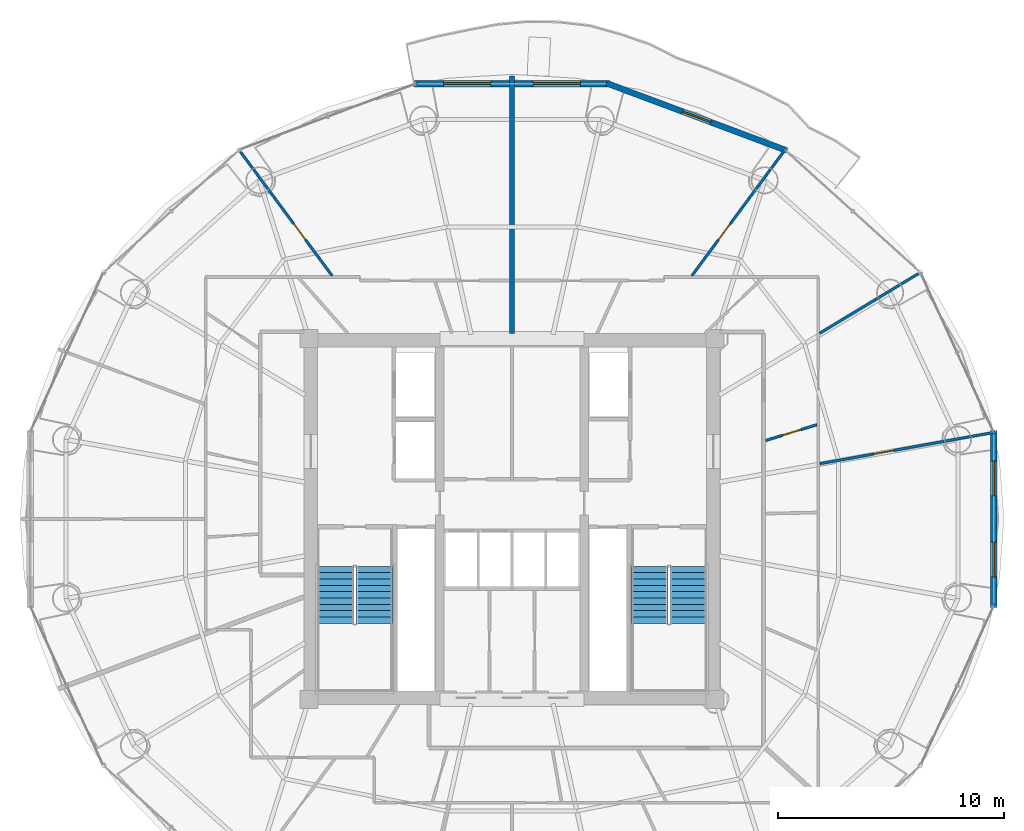
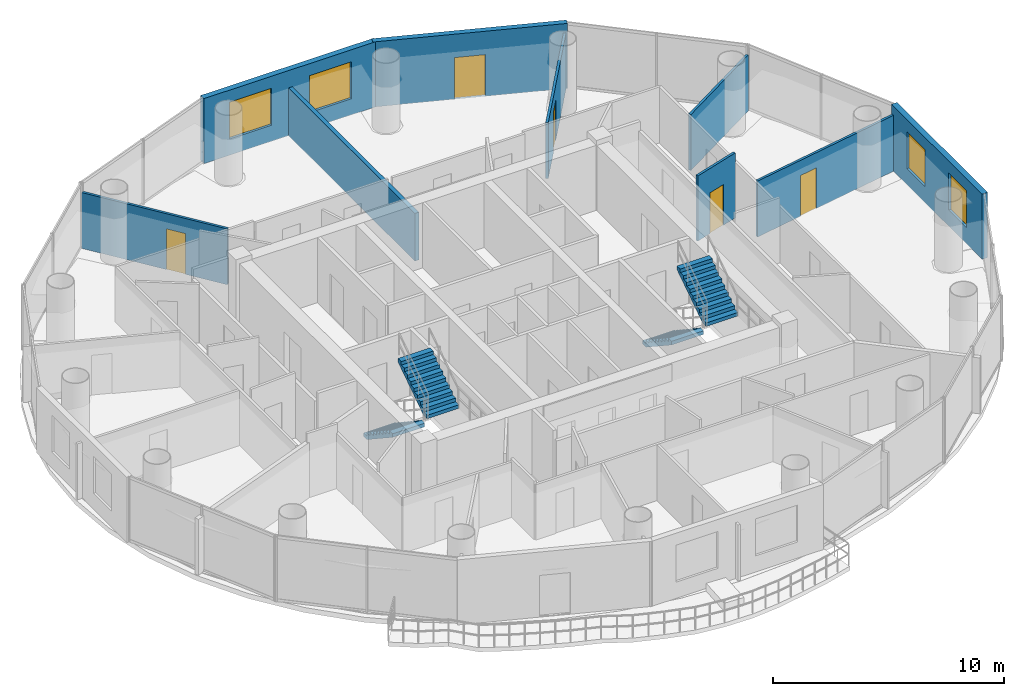
# One storey, part 23 of 26: 9 walls, 5 doors, 4 stair flights, 4 windows, 9 openings, 2 elements without a shape of their own.
"""IFC4 building model written with IfcOpenShell, lengths in metres."""

from ifc_helpers import new_model, si_unit, direction, frame, frame_2d, origin, place, context, subcontext, project, spatial, polyline, rectangle, outline, extrude, source, transform, mapped, material, layer, layer_set, type_object, element, fill, aggregate, save


model = new_model("IFC4")

# Units and contexts
model_context = context("Model", 3, precision=1e-05, world=origin(), true_north=direction((-0.2419218956, 0.970295726276)))
body_context = subcontext(model_context, "Body", "Model", "MODEL_VIEW")
ifc_project = project(units=[si_unit("LENGTHUNIT", "METRE"), si_unit("AREAUNIT", "SQUARE_METRE"), si_unit("VOLUMEUNIT", "CUBIC_METRE"), si_unit("PLANEANGLEUNIT", "RADIAN"), si_unit("MASSUNIT", "GRAM", prefix="KILO")], contexts=[model_context])

# Site, building, storey
site_placement = place(None, origin())
site = spatial("IfcSite", under=ifc_project, at=site_placement, CompositionType="ELEMENT")
building_placement = place(site_placement, origin())
building = spatial("IfcBuilding", under=site, at=building_placement, Name="Cobrevalo Terracotta Tower", CompositionType="ELEMENT")
storey_placement = place(building_placement, frame((0.0, 0.0, 202.300048828125)))
storey = spatial("IfcBuildingStorey", under=building, at=storey_placement, Name="L53", CompositionType="ELEMENT", Elevation=202.300048828125)

# Wall
ifc_material_1 = material(Name="Autoclaved aerated concrete block", Category="concrete")
ifc_layer_1 = layer(ifc_material_1, 0.199951171875)
ifc_layer_set_1 = layer_set([ifc_layer_1], Name="Autoclaved aerated concrete block")
wall_type_1 = type_object("IfcWallType", Name="Fire-rated stair, shaft & demising masonry wall 200 mm", PredefinedType="PARTITIONING", material=ifc_layer_set_1)
wall_1_placement = place(storey_placement, frame((38.0, 35.027099609375, 0.0), z_axis=(0.0, 0.0, 1.0), x_axis=(0.0, 1.0, 0.0)))
element("IfcWall", 1, at=wall_1_placement, inside=storey, type_object=wall_type_1, Name="L53 interior partition IW-L53-DEM-1", PredefinedType="PARTITIONING", context=body_context, shape_type="SweptSolid", body=[
    extrude(rectangle(XDim=11.412841796875, YDim=0.199951171875, at=frame_2d((5.70654296875, 0.0))), origin(), (0.0, 0.0, 1.0), 2.52001953125),
])

# Wall, openings, windows
ifc_layer_2 = layer(ifc_material_1, 0.280029296875)
ifc_layer_set_2 = layer_set([ifc_layer_2], Name="Autoclaved aerated concrete block")
wall_type_2 = type_object("IfcWallType", Name="Insulated tower spandrel & pier wall 280 mm with terracotta rainscreen", PredefinedType="SOLIDWALL", material=ifc_layer_set_2)
wall_2_placement = place(storey_placement, frame((42.3271484375, 46.092041015625, 0.0), z_axis=(0.0, 0.0, 1.0), x_axis=(-1.0, 0.0, 0.0)))
wall_2 = element("IfcWall", 2, at=wall_2_placement, inside=storey, type_object=wall_type_2, Name="L53 terracotta rainscreen pier wall S04", PredefinedType="SOLIDWALL", context=body_context, shape_type="SweptSolid", body=[
    extrude(rectangle(XDim=8.654296875, YDim=0.280029296875, at=frame_2d((4.3271484375, 0.0))), origin(), (0.0, 0.0, 1.0), 3.43505859375),
])
opening_1_placement = place(wall_2_placement, frame((1.28662109375, 0.0, 0.85009765625)))
opening_1 = element("IfcOpeningElement", 3, at=opening_1_placement, cuts=wall_2, Name="Opening WN-10", PredefinedType="OPENING", context=body_context, shape_type="SweptSolid", body=[
    extrude(rectangle(XDim=2.10009765625, YDim=1.949951171875, at=frame_2d((1.050048828125, 0.97509765625))), frame((0.0, 0.14990234375, 0.0), z_axis=(0.0, -1.0, 0.0), x_axis=(1.0, 0.0, 0.0)), (0.0, 0.0, 1.0), 0.300048828125),
])
opening_2_placement = place(wall_2_placement, frame((5.267578125, 0.0, 0.85009765625)))
opening_2 = element("IfcOpeningElement", 4, at=opening_2_placement, cuts=wall_2, Name="Opening WN-10", PredefinedType="OPENING", context=body_context, shape_type="SweptSolid", body=[
    extrude(rectangle(XDim=2.10009765625, YDim=1.949951171875, at=frame_2d((1.050048828125, 0.97509765625))), frame((0.0, 0.14990234375, 0.0), z_axis=(0.0, -1.0, 0.0), x_axis=(1.0, 0.0, 0.0)), (0.0, 0.0, 1.0), 0.300048828125),
])
ifc_material_2 = material(Name="Solar-control low-E double glazing", Category="glass")
window_type_1 = type_object("IfcWindowType", Name="Wide panoramic low-E aluminium window 2100x1950", PartitioningType="SINGLE_PANEL", PredefinedType="WINDOW", material=ifc_material_2)
shared_shape_1 = source(origin(), body_context, "Body", "SweptSolid", [
    extrude(rectangle(XDim=2.10009765625, YDim=1.949951171875, at=frame_2d((1.050048828125, 0.97509765625))), frame((0.0, 0.030029296875, 0.0), z_axis=(0.0, -1.0, 0.0), x_axis=(1.0, 0.0, 0.0)), (0.0, 0.0, 1.0), 0.06005859375),
])
window_1_placement = place(opening_1_placement, origin())
window_1 = element("IfcWindow", 5, at=window_1_placement, inside=storey, type_object=window_type_1, Name="L53 suite window S04A", OverallHeight=1.949951171875, OverallWidth=2.10009765625, PartitioningType="SINGLE_PANEL", PredefinedType="WINDOW", context=body_context, shape_type="MappedRepresentation", body=[
    mapped(shared_shape_1, transform((0.0, 0.0, 0.0), scale=1.0)),
])
fill(opening_1, window_1)
window_2_placement = place(opening_2_placement, origin())
window_2 = element("IfcWindow", 6, at=window_2_placement, inside=storey, type_object=window_type_1, Name="L53 suite window S04B", OverallHeight=1.949951171875, OverallWidth=2.10009765625, PartitioningType="SINGLE_PANEL", PredefinedType="WINDOW", context=body_context, shape_type="MappedRepresentation", body=[
    mapped(shared_shape_1, transform((0.0, 0.0, 0.0), scale=1.0)),
])
fill(opening_2, window_2)

wall_3_placement = place(storey_placement, frame((59.351806640625, 22.882568359375, 0.0), z_axis=(0.0, 0.0, 1.0), x_axis=(0.0, 1.0, 0.0)))
wall_3 = element("IfcWall", 7, at=wall_3_placement, inside=storey, type_object=wall_type_2, Name="L53 terracotta rainscreen pier wall S16", PredefinedType="SOLIDWALL", context=body_context, shape_type="SweptSolid", body=[
    extrude(rectangle(XDim=7.8349609375, YDim=0.280029296875, at=frame_2d((3.91748046875, 0.0))), origin(), (0.0, 0.0, 1.0), 3.43505859375),
])
opening_3_placement = place(wall_3_placement, frame((1.34033203125, 0.0, 0.85009765625)))
opening_3 = element("IfcOpeningElement", 8, at=opening_3_placement, cuts=wall_3, Name="Opening WN-12", PredefinedType="OPENING", context=body_context, shape_type="SweptSolid", body=[
    extrude(rectangle(XDim=1.550048828125, YDim=1.949951171875, at=frame_2d((0.77490234375, 0.97509765625))), frame((0.0, 0.14990234375, 0.0), z_axis=(0.0, -1.0, 0.0), x_axis=(1.0, 0.0, 0.0)), (0.0, 0.0, 1.0), 0.300048828125),
])
opening_4_placement = place(wall_3_placement, frame((4.9443359375, 0.0, 0.85009765625)))
opening_4 = element("IfcOpeningElement", 9, at=opening_4_placement, cuts=wall_3, Name="Opening WN-12", PredefinedType="OPENING", context=body_context, shape_type="SweptSolid", body=[
    extrude(rectangle(XDim=1.550048828125, YDim=1.949951171875, at=frame_2d((0.77490234375, 0.97509765625))), frame((0.0, 0.14990234375, 0.0), z_axis=(0.0, -1.0, 0.0), x_axis=(1.0, 0.0, 0.0)), (0.0, 0.0, 1.0), 0.300048828125),
])
window_type_2 = type_object("IfcWindowType", Name="Solar-control low-E aluminium window 1550x1950", PartitioningType="SINGLE_PANEL", PredefinedType="WINDOW", material=ifc_material_2)
shared_shape_2 = source(origin(), body_context, "Body", "SweptSolid", [
    extrude(rectangle(XDim=1.550048828125, YDim=1.949951171875, at=frame_2d((0.77490234375, 0.97509765625))), frame((0.0, 0.030029296875, 0.0), z_axis=(0.0, -1.0, 0.0), x_axis=(1.0, 0.0, 0.0)), (0.0, 0.0, 1.0), 0.06005859375),
])
window_3_placement = place(opening_3_placement, origin())
window_3 = element("IfcWindow", 10, at=window_3_placement, inside=storey, type_object=window_type_2, Name="L53 suite window S16A", OverallHeight=1.949951171875, OverallWidth=1.550048828125, PartitioningType="SINGLE_PANEL", PredefinedType="WINDOW", context=body_context, shape_type="MappedRepresentation", body=[
    mapped(shared_shape_2, transform((0.0, 0.0, 0.0), scale=1.0)),
])
fill(opening_3, window_3)
window_4_placement = place(opening_4_placement, origin())
window_4 = element("IfcWindow", 11, at=window_4_placement, inside=storey, type_object=window_type_2, Name="L53 suite window S16B", OverallHeight=1.949951171875, OverallWidth=1.550048828125, PartitioningType="SINGLE_PANEL", PredefinedType="WINDOW", context=body_context, shape_type="MappedRepresentation", body=[
    mapped(shared_shape_2, transform((0.0, 0.0, 0.0), scale=1.0)),
])
fill(opening_4, window_4)

# Wall, opening, door
ifc_layer_3 = layer(ifc_material_1, 0.260009765625)
ifc_layer_set_3 = layer_set([ifc_layer_3], Name="Autoclaved aerated concrete block")
wall_type_3 = type_object("IfcWallType", Name="Recessed balcony loggia insulated exterior wall 260 mm", PredefinedType="SOLIDWALL", material=ifc_layer_set_3)
wall_4_placement = place(storey_placement, frame((50.169677734375, 43.126953125, 0.0), z_axis=(0.0, 0.0, 1.0), x_axis=(-0.936556918375, 0.350515532672, 0.0)))
wall_4 = element("IfcWall", 12, at=wall_4_placement, inside=storey, type_object=wall_type_3, Name="L53 balcony loggia wall S03", PredefinedType="SOLIDWALL", context=body_context, shape_type="SweptSolid", body=[
    extrude(rectangle(XDim=8.539306640625, YDim=0.260009765625, at=frame_2d((4.26953125, 0.0))), origin(), (0.0, 0.0, 1.0), 3.43505859375),
])
opening_5_placement = place(wall_4_placement, frame((3.594482421875, 0.0, 0.0)))
opening_5 = element("IfcOpeningElement", 13, at=opening_5_placement, cuts=wall_4, Name="Opening ED-05", PredefinedType="OPENING", context=body_context, shape_type="SweptSolid", body=[
    extrude(rectangle(XDim=1.35009765625, YDim=2.199951171875, at=frame_2d((0.675048828125, 1.10009765625))), frame((0.0, 0.14013671875, 0.0), z_axis=(0.0, -1.0, 0.0), x_axis=(1.0, 0.0, 0.0)), (0.0, 0.0, 1.0), 0.280029296875),
])
ifc_material_3 = material(Name="Anodized aluminium and laminated glass", Category="aluminium")
door_type_1 = type_object("IfcDoorType", Name="Suite balcony acoustic glazed terrace door 1350x2200", OperationType="NOTDEFINED", PredefinedType="DOOR", material=ifc_material_3)
shared_shape_3 = source(origin(), body_context, "Body", "SweptSolid", [
    extrude(rectangle(XDim=1.35009765625, YDim=2.199951171875, at=frame_2d((0.675048828125, 1.10009765625))), frame((0.0, 0.02490234375, 0.0), z_axis=(0.0, -1.0, 0.0), x_axis=(1.0, 0.0, 0.0)), (0.0, 0.0, 1.0), 0.050048828125),
])
door_1_placement = place(opening_5_placement, frame((1.35009765625, 0.0, 0.0), z_axis=(0.0, 0.0, 1.0), x_axis=(-1.0, 0.0, 0.0)))
door_1 = element("IfcDoor", 14, at=door_1_placement, inside=storey, type_object=door_type_1, Name="L53 glazed balcony terrace door 1", OperationType="SINGLE_SWING_LEFT", OverallHeight=2.199951171875, OverallWidth=1.35009765625, PredefinedType="DOOR", context=body_context, shape_type="MappedRepresentation", body=[
    mapped(shared_shape_3, transform((0.0, 0.0, 0.0), scale=1.0)),
])
fill(opening_5, door_1)

ifc_material_4 = material(Name="Gypsum board on steel stud", Category="steel")
ifc_layer_4 = layer(ifc_material_4, 0.1201171875)
ifc_layer_set_4 = layer_set([ifc_layer_4], Name="Gypsum board on steel stud")
wall_type_4 = type_object("IfcWallType", Name="Residential internal acoustic stud partition 120 mm", PredefinedType="PARTITIONING", material=ifc_layer_set_4)
wall_5_placement = place(storey_placement, frame((30.032958984375, 37.574951171875, 0.0), z_axis=(0.0, 0.0, 1.0), x_axis=(-0.59452500855, 0.804077119565, 0.0)))
wall_5 = element("IfcWall", 15, at=wall_5_placement, inside=storey, type_object=wall_type_4, Name="L53 interior partition IW-L53-U1-ORAD1", PredefinedType="PARTITIONING", context=body_context, shape_type="SweptSolid", body=[
    extrude(rectangle(XDim=6.866943359375, YDim=0.1201171875, at=frame_2d((3.43359375, 0.0))), origin(), (0.0, 0.0, 1.0), 2.950927734375),
])
opening_6_placement = place(wall_5_placement, frame((1.975830078125, 0.0, 0.0)))
opening_6 = element("IfcOpeningElement", 16, at=opening_6_placement, cuts=wall_5, Name="Opening ID-12", PredefinedType="OPENING", context=body_context, shape_type="SweptSolid", body=[
    extrude(rectangle(XDim=0.89990234375, YDim=2.14990234375, at=frame_2d((0.449951171875, 1.074951171875))), frame((0.0, 0.070068359375, 0.0), z_axis=(0.0, -1.0, 0.0), x_axis=(1.0, 0.0, 0.0)), (0.0, 0.0, 1.0), 0.14013671875),
])
ifc_material_5 = material(Name="Engineered timber", Category="wood")
door_type_2 = type_object("IfcDoorType", Name="Internal residence & suite timber door 900x2150", OperationType="NOTDEFINED", PredefinedType="DOOR", material=ifc_material_5)
shared_shape_4 = source(origin(), body_context, "Body", "SweptSolid", [
    extrude(rectangle(XDim=0.89990234375, YDim=2.14990234375, at=frame_2d((0.449951171875, 1.074951171875))), frame((0.0, 0.02490234375, 0.0), z_axis=(0.0, -1.0, 0.0), x_axis=(1.0, 0.0, 0.0)), (0.0, 0.0, 1.0), 0.050048828125),
])
door_2_placement = place(opening_6_placement, frame((0.89990234375, 0.0, 0.0), z_axis=(0.0, 0.0, 1.0), x_axis=(-1.0, 0.0, 0.0)))
door_2 = element("IfcDoor", 17, at=door_2_placement, inside=storey, type_object=door_type_2, Name="Flat L53A Living and Dining Room internal door", OperationType="SINGLE_SWING_LEFT", OverallHeight=2.14990234375, OverallWidth=0.89990234375, PredefinedType="DOOR", context=body_context, shape_type="MappedRepresentation", body=[
    mapped(shared_shape_4, transform((0.0, 0.0, 0.0), scale=1.0)),
])
fill(opening_6, door_2)

wall_6_placement = place(storey_placement, frame((51.635986328125, 29.2509765625, 0.0), z_axis=(0.0, 0.0, 1.0), x_axis=(0.984223216243, 0.176931231294, 0.0)))
wall_6 = element("IfcWall", 18, at=wall_6_placement, inside=storey, type_object=wall_type_4, Name="L53 interior partition IW-L53-U3-ORAD1", PredefinedType="PARTITIONING", context=body_context, shape_type="SweptSolid", body=[
    extrude(rectangle(XDim=7.76318359375, YDim=0.1201171875, at=frame_2d((3.881591796875, 0.0))), origin(), (0.0, 0.0, 1.0), 2.950927734375),
])
opening_7_placement = place(wall_6_placement, frame((2.42138671875, 0.0, 0.0)))
opening_7 = element("IfcOpeningElement", 19, at=opening_7_placement, cuts=wall_6, Name="Opening ID-12", PredefinedType="OPENING", context=body_context, shape_type="SweptSolid", body=[
    extrude(rectangle(XDim=0.89990234375, YDim=2.14990234375, at=frame_2d((0.449951171875, 1.074951171875))), frame((0.0, 0.070068359375, 0.0), z_axis=(0.0, -1.0, 0.0), x_axis=(1.0, 0.0, 0.0)), (0.0, 0.0, 1.0), 0.14013671875),
])
door_3_placement = place(opening_7_placement, frame((0.89990234375, 0.0, 0.0), z_axis=(0.0, 0.0, 1.0), x_axis=(-1.0, 0.0, 0.0)))
door_3 = element("IfcDoor", 20, at=door_3_placement, inside=storey, type_object=door_type_2, Name="Flat L53C Penthouse Living and Dining Room internal door", OperationType="SINGLE_SWING_RIGHT", OverallHeight=2.14990234375, OverallWidth=0.89990234375, PredefinedType="DOOR", context=body_context, shape_type="MappedRepresentation", body=[
    mapped(shared_shape_4, transform((0.0, 0.0, 0.0), scale=1.0)),
])
fill(opening_7, door_3)

# Wall
wall_7_placement = place(storey_placement, frame((51.628173828125, 35.02880859375, 0.0), z_axis=(0.0, 0.0, 1.0), x_axis=(0.856041879651, 0.516906471505, 0.0)))
element("IfcWall", 21, at=wall_7_placement, inside=storey, type_object=wall_type_4, Name="L53 interior partition IW-L53-U3-ORAD2M1", PredefinedType="PARTITIONING", context=body_context, shape_type="SweptSolid", body=[
    extrude(rectangle(XDim=5.148681640625, YDim=0.1201171875, at=frame_2d((2.57421875, 0.0))), origin(), (0.0, 0.0, 1.0), 2.950927734375),
])

# Wall, opening, door
wall_8_placement = place(storey_placement, frame((45.967041015625, 37.574951171875, 0.0), z_axis=(0.0, 0.0, 1.0), x_axis=(0.59452500855, 0.804077119565, 0.0)))
wall_8 = element("IfcWall", 22, at=wall_8_placement, inside=storey, type_object=wall_type_4, Name="L53 interior partition IW-L53-U3-ORAD2", PredefinedType="PARTITIONING", context=body_context, shape_type="SweptSolid", body=[
    extrude(rectangle(XDim=6.866943359375, YDim=0.1201171875, at=frame_2d((3.43359375, 0.0))), origin(), (0.0, 0.0, 1.0), 2.950927734375),
])
opening_8_placement = place(wall_8_placement, frame((1.975341796875, 0.0, 0.0)))
opening_8 = element("IfcOpeningElement", 23, at=opening_8_placement, cuts=wall_8, Name="Opening ID-12", PredefinedType="OPENING", context=body_context, shape_type="SweptSolid", body=[
    extrude(rectangle(XDim=0.89990234375, YDim=2.14990234375, at=frame_2d((0.449951171875, 1.074951171875))), frame((0.0, 0.070068359375, 0.0), z_axis=(0.0, -1.0, 0.0), x_axis=(1.0, 0.0, 0.0)), (0.0, 0.0, 1.0), 0.14013671875),
])
door_4_placement = place(opening_8_placement, frame((0.89990234375, 0.0, 0.0), z_axis=(0.0, 0.0, 1.0), x_axis=(-1.0, 0.0, 0.0)))
door_4 = element("IfcDoor", 24, at=door_4_placement, inside=storey, type_object=door_type_2, Name="Flat L53C Principal Guest Bedroom internal door", OperationType="SINGLE_SWING_LEFT", OverallHeight=2.14990234375, OverallWidth=0.89990234375, PredefinedType="DOOR", context=body_context, shape_type="MappedRepresentation", body=[
    mapped(shared_shape_4, transform((0.0, 0.0, 0.0), scale=1.0)),
])
fill(opening_8, door_4)

wall_9_placement = place(storey_placement, frame((49.23681640625, 30.276611328125, 0.0), z_axis=(0.0, 0.0, 1.0), x_axis=(0.955326488692, 0.295552533406, 0.0)))
wall_9 = element("IfcWall", 25, at=wall_9_placement, inside=storey, type_object=wall_type_4, Name="L53 interior partition IW-L53-U3-IRAD3", PredefinedType="PARTITIONING", context=body_context, shape_type="SweptSolid", body=[
    extrude(rectangle(XDim=2.3857421875, YDim=0.1201171875, at=frame_2d((1.19287109375, 0.0))), origin(), (0.0, 0.0, 1.0), 3.43505859375),
])
opening_9_placement = place(wall_9_placement, frame((0.7626953125, 0.0, 0.0)))
opening_9 = element("IfcOpeningElement", 26, at=opening_9_placement, cuts=wall_9, Name="Opening ID-19", PredefinedType="OPENING", context=body_context, shape_type="SweptSolid", body=[
    extrude(rectangle(XDim=0.860107421875, YDim=2.14990234375, at=frame_2d((0.43017578125, 1.074951171875))), frame((0.0, 0.070068359375, 0.0), z_axis=(0.0, -1.0, 0.0), x_axis=(1.0, 0.0, 0.0)), (0.0, 0.0, 1.0), 0.14013671875),
])
ifc_material_6 = material(Name="Moisture-sealed timber", Category="wood")
door_type_3 = type_object("IfcDoorType", Name="Suite bathroom internal timber door 860x2150", OperationType="NOTDEFINED", PredefinedType="DOOR", material=ifc_material_6)
shared_shape_5 = source(origin(), body_context, "Body", "SweptSolid", [
    extrude(rectangle(XDim=0.860107421875, YDim=2.14990234375, at=frame_2d((0.43017578125, 1.074951171875))), frame((0.0, 0.02490234375, 0.0), z_axis=(0.0, -1.0, 0.0), x_axis=(1.0, 0.0, 0.0)), (0.0, 0.0, 1.0), 0.050048828125),
])
door_5_placement = place(opening_9_placement, frame((0.860107421875, 0.0, 0.0), z_axis=(0.0, 0.0, 1.0), x_axis=(-1.0, 0.0, 0.0)))
door_5 = element("IfcDoor", 27, at=door_5_placement, inside=storey, type_object=door_type_3, Name="Flat L53C Primary Bathroom internal door", OperationType="SINGLE_SWING_RIGHT", OverallHeight=2.14990234375, OverallWidth=0.860107421875, PredefinedType="DOOR", context=body_context, shape_type="MappedRepresentation", body=[
    mapped(shared_shape_5, transform((0.0, 0.0, 0.0), scale=1.0)),
])
fill(opening_9, door_5)

# Stair, stair flights
ifc_material_7 = material(Name="Concrete C50", Category="concrete")
stair_type = type_object("IfcStairType", Name="Core protected escape dogleg stair 1600", PredefinedType="HALF_TURN_STAIR", material=ifc_material_7)
stair_1_placement = place(storey_placement, origin())
stair_1 = element("IfcStair", 28, at=stair_1_placement, inside=storey, type_object=stair_type, Name="L53 Protected exit stair ST-1", PredefinedType="HALF_TURN_STAIR")
stair_flight_type = type_object("IfcStairFlightType", Name="Core protected escape dogleg stair 1600 flight", PredefinedType="STRAIGHT", material=ifc_material_7)
stair_flight_1_placement = place(storey_placement, frame((30.175048828125, 24.699951171875, 0.0), z_axis=(0.0, 0.0, 1.0), x_axis=(0.0, -1.0, 0.0)))
stair_flight_1 = element("IfcStairFlight", 29, at=stair_flight_1_placement, type_object=stair_flight_type, Name="ST-1 flight 1", NumberOfRisers=10, NumberOfTreads=9, PredefinedType="STRAIGHT", RiserHeight=0.185, TreadLength=0.28, context=body_context, shape_type="SweptSolid", body=[
    extrude(outline(polyline([(0.0, 0.0), (0.0, 0.18505859375), (0.280029296875, 0.18505859375), (0.280029296875, 0.3701171875), (0.56005859375, 0.3701171875), (0.56005859375, 0.554931640625), (0.840087890625, 0.554931640625), (0.840087890625, 0.739990234375), (1.1201171875, 0.739990234375), (1.1201171875, 0.925048828125), (1.39990234375, 0.925048828125), (1.39990234375, 1.110107421875), (1.679931640625, 1.110107421875), (1.679931640625, 1.294921875), (1.9599609375, 1.294921875), (1.9599609375, 1.47998046875), (2.239990234375, 1.47998046875), (2.239990234375, 1.6650390625), (2.52001953125, 1.6650390625), (2.52001953125, 1.85009765625), (2.52001953125, 1.473388671875), (0.2900390625, 0.0), (0.0, 0.0)])), frame((0.0, 0.800048828125, 0.0), z_axis=(0.0, -1.0, 0.0), x_axis=(1.0, 0.0, 0.0)), (0.0, 0.0, 1.0), 1.60009765625),
])
stair_flight_2_placement = place(storey_placement, frame((31.89501953125, 22.179931640625, 1.849853515625), z_axis=(0.0, 0.0, 1.0), x_axis=(0.0, 1.0, 0.0)))
stair_flight_2 = element("IfcStairFlight", 30, at=stair_flight_2_placement, type_object=stair_flight_type, Name="ST-1 flight 2", NumberOfRisers=10, NumberOfTreads=9, PredefinedType="STRAIGHT", RiserHeight=0.185, TreadLength=0.28, context=body_context, shape_type="SweptSolid", body=[
    extrude(outline(polyline([(0.0, 0.0), (0.0, 0.18505859375), (0.280029296875, 0.18505859375), (0.280029296875, 0.3701171875), (0.56005859375, 0.3701171875), (0.56005859375, 0.554931640625), (0.840087890625, 0.554931640625), (0.840087890625, 0.739990234375), (1.1201171875, 0.739990234375), (1.1201171875, 0.925048828125), (1.39990234375, 0.925048828125), (1.39990234375, 1.110107421875), (1.679931640625, 1.110107421875), (1.679931640625, 1.294921875), (1.9599609375, 1.294921875), (1.9599609375, 1.47998046875), (2.239990234375, 1.47998046875), (2.239990234375, 1.6650390625), (2.52001953125, 1.6650390625), (2.52001953125, 1.85009765625), (2.52001953125, 1.473388671875), (0.2900390625, 0.0), (0.0, 0.0)])), frame((0.0, 0.800048828125, 0.0), z_axis=(0.0, -1.0, 0.0), x_axis=(1.0, 0.0, 0.0)), (0.0, 0.0, 1.0), 1.60009765625),
])
aggregate(stair_1, [stair_flight_1, stair_flight_2])

stair_2_placement = place(storey_placement, origin())
stair_2 = element("IfcStair", 31, at=stair_2_placement, inside=storey, type_object=stair_type, Name="L53 Protected exit stair ST-2", PredefinedType="HALF_TURN_STAIR")
stair_flight_3_placement = place(storey_placement, frame((44.10498046875, 24.699951171875, 0.0), z_axis=(0.0, 0.0, 1.0), x_axis=(0.0, -1.0, 0.0)))
stair_flight_3 = element("IfcStairFlight", 32, at=stair_flight_3_placement, type_object=stair_flight_type, Name="ST-2 flight 1", NumberOfRisers=10, NumberOfTreads=9, PredefinedType="STRAIGHT", RiserHeight=0.185, TreadLength=0.28, context=body_context, shape_type="SweptSolid", body=[
    extrude(outline(polyline([(0.0, 0.0), (0.0, 0.18505859375), (0.280029296875, 0.18505859375), (0.280029296875, 0.3701171875), (0.56005859375, 0.3701171875), (0.56005859375, 0.554931640625), (0.840087890625, 0.554931640625), (0.840087890625, 0.739990234375), (1.1201171875, 0.739990234375), (1.1201171875, 0.925048828125), (1.39990234375, 0.925048828125), (1.39990234375, 1.110107421875), (1.679931640625, 1.110107421875), (1.679931640625, 1.294921875), (1.9599609375, 1.294921875), (1.9599609375, 1.47998046875), (2.239990234375, 1.47998046875), (2.239990234375, 1.6650390625), (2.52001953125, 1.6650390625), (2.52001953125, 1.85009765625), (2.52001953125, 1.473388671875), (0.2900390625, 0.0), (0.0, 0.0)])), frame((0.0, 0.800048828125, 0.0), z_axis=(0.0, -1.0, 0.0), x_axis=(1.0, 0.0, 0.0)), (0.0, 0.0, 1.0), 1.60009765625),
])
stair_flight_4_placement = place(storey_placement, frame((45.824951171875, 22.179931640625, 1.849853515625), z_axis=(0.0, 0.0, 1.0), x_axis=(0.0, 1.0, 0.0)))
stair_flight_4 = element("IfcStairFlight", 33, at=stair_flight_4_placement, type_object=stair_flight_type, Name="ST-2 flight 2", NumberOfRisers=10, NumberOfTreads=9, PredefinedType="STRAIGHT", RiserHeight=0.185, TreadLength=0.28, context=body_context, shape_type="SweptSolid", body=[
    extrude(outline(polyline([(0.0, 0.0), (0.0, 0.18505859375), (0.280029296875, 0.18505859375), (0.280029296875, 0.3701171875), (0.56005859375, 0.3701171875), (0.56005859375, 0.554931640625), (0.840087890625, 0.554931640625), (0.840087890625, 0.739990234375), (1.1201171875, 0.739990234375), (1.1201171875, 0.925048828125), (1.39990234375, 0.925048828125), (1.39990234375, 1.110107421875), (1.679931640625, 1.110107421875), (1.679931640625, 1.294921875), (1.9599609375, 1.294921875), (1.9599609375, 1.47998046875), (2.239990234375, 1.47998046875), (2.239990234375, 1.6650390625), (2.52001953125, 1.6650390625), (2.52001953125, 1.85009765625), (2.52001953125, 1.473388671875), (0.2900390625, 0.0), (0.0, 0.0)])), frame((0.0, 0.800048828125, 0.0), z_axis=(0.0, -1.0, 0.0), x_axis=(1.0, 0.0, 0.0)), (0.0, 0.0, 1.0), 1.60009765625),
])
aggregate(stair_2, [stair_flight_3, stair_flight_4])

save(model, "model.ifc")
